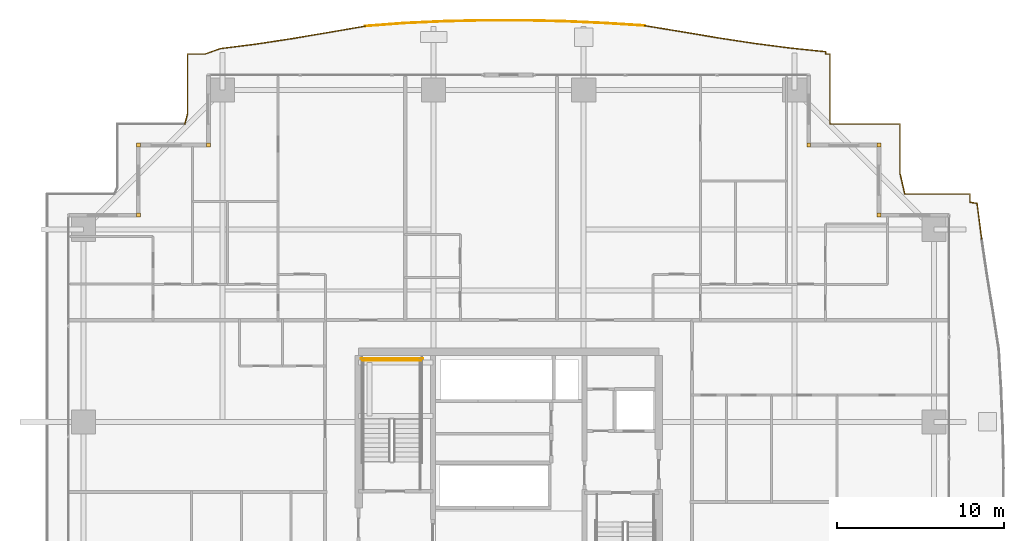
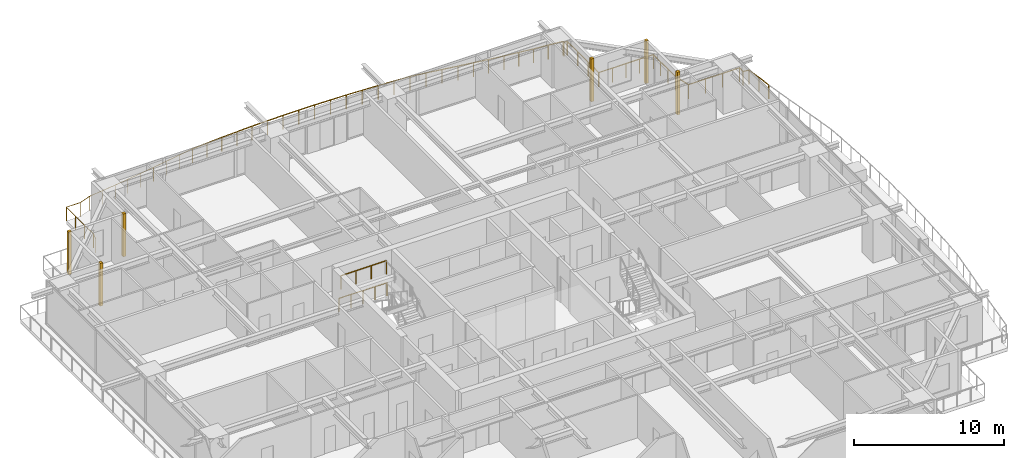
# One storey, part 38 of 38: 6 coverings, 6 railings.
"""IFC4 building model written with IfcOpenShell, lengths in metres."""

from ifc_helpers import new_model, si_unit, direction, frame, origin, origin_2d, place, context, subcontext, project, spatial, rectangle, circle, extrude, source, transform, mapped, material, layer, layer_set, type_object, element, save


model = new_model("IFC4")

# Units and contexts
model_context = context("Model", 3, precision=1e-05, world=origin(), true_north=direction((0.0, 1.0)))
body_context = subcontext(model_context, "Body", "Model", "MODEL_VIEW")
ifc_project = project(units=[si_unit("LENGTHUNIT", "METRE"), si_unit("AREAUNIT", "SQUARE_METRE"), si_unit("VOLUMEUNIT", "CUBIC_METRE"), si_unit("PLANEANGLEUNIT", "RADIAN"), si_unit("MASSUNIT", "GRAM", prefix="KILO")], contexts=[model_context])

# Site, building, storey
site_placement = place(None, origin())
site = spatial("IfcSite", under=ifc_project, at=site_placement, CompositionType="ELEMENT")
building_placement = place(site_placement, origin())
building = spatial("IfcBuilding", under=site, at=building_placement, Name="Serunith Strait Residences", CompositionType="ELEMENT")
storey_placement = place(building_placement, frame((0.0, 0.0, 37.949951171875)))
storey = spatial("IfcBuildingStorey", under=building, at=storey_placement, Name="L08", CompositionType="ELEMENT", Elevation=37.949951171875)

# Railings
ifc_material_1 = material(Name="Stainless Steel & Laminated Glass Balustrade", Category="steel")
railing_type_1 = type_object("IfcRailingType", Name="RLG-BALC-1150", PredefinedType="BALUSTRADE", material=ifc_material_1)
railing_1_placement = place(storey_placement, frame((12.981689453125, 47.260009765625, -0.050048828125)))
element("IfcRailing", 1, at=railing_1_placement, inside=storey, type_object=railing_type_1, Name="L08 Swirling Balcony Perimeter Balustrade 1", PredefinedType="BALUSTRADE", context=body_context, shape_type="SweptSolid", body=[
    extrude(circle(Radius=0.02392578125, at=origin_2d()), frame((0.00048828125, 0.001953125, 1.1259765625), z_axis=(0.255697331231, 0.966756885055, 0.0), x_axis=(-0.966756885055, 0.255697331231, 0.0)), (0.0, 0.0, 1.0), 0.61474609375),
    extrude(circle(Radius=0.02392578125, at=origin_2d()), frame((0.158203125, 0.60009765625, 1.1259765625), z_axis=(0.0, 1.0, 0.0), x_axis=(-1.0, 0.0, 0.0)), (0.0, 0.0, 1.0), 3.597900390625),
    extrude(circle(Radius=0.02392578125, at=origin_2d()), frame((0.16015625, 4.199951171875, 1.1259765625), z_axis=(1.0, 0.0, 0.0), x_axis=(0.0, 1.0, 0.0)), (0.0, 0.0, 1.0), 1.064208984375),
    extrude(circle(Radius=0.02392578125, at=origin_2d()), frame((1.228271484375, 4.20068359375, 1.1259765625), z_axis=(0.941177945804, 0.337911340934, 0.0), x_axis=(-0.337911340934, 0.941177945804, 0.0)), (0.0, 0.0, 1.0), 0.9482421875),
    extrude(circle(Radius=0.02392578125, at=origin_2d()), frame((2.12451171875, 4.52197265625, 1.1259765625), z_axis=(0.992050001102, 0.125844329681, 0.0), x_axis=(-0.125844329681, 0.992050001102, 0.0)), (0.0, 0.0, 1.0), 2.1376953125),
    extrude(circle(Radius=0.02392578125, at=origin_2d()), frame((4.249267578125, 4.79150390625, 1.1259765625), z_axis=(0.988785607502, 0.14934196462, 0.0), x_axis=(-0.14934196462, 0.988785607502, 0.0)), (0.0, 0.0, 1.0), 2.165283203125),
    extrude(circle(Radius=0.02392578125, at=origin_2d()), frame((6.394287109375, 5.115478515625, 1.1259765625), z_axis=(0.986055038385, 0.166419533936, 0.0), x_axis=(-0.166419533936, 0.986055038385, 0.0)), (0.0, 0.0, 1.0), 2.209716796875),
    extrude(circle(Radius=0.02392578125, at=origin_2d()), frame((8.5771484375, 5.48388671875, 1.1259765625), z_axis=(0.9854104764, 0.170194573945, 0.0), x_axis=(-0.170194573945, 0.9854104764, 0.0)), (0.0, 0.0, 1.0), 2.26953125),
    extrude(circle(Radius=0.02099609375, at=origin_2d()), origin(), (0.0, 0.0, 1.0), 1.099853515625),
    extrude(circle(Radius=0.02099609375, at=origin_2d()), frame((0.158203125, 0.59814453125, 0.0)), (0.0, 0.0, 1.0), 1.099853515625),
    extrude(circle(Radius=0.02099609375, at=origin_2d()), frame((0.158203125, 1.798828125, 0.0)), (0.0, 0.0, 1.0), 1.099853515625),
    extrude(circle(Radius=0.02099609375, at=origin_2d()), frame((0.158203125, 2.999267578125, 0.0)), (0.0, 0.0, 1.0), 1.099853515625),
    extrude(circle(Radius=0.02099609375, at=origin_2d()), frame((0.158203125, 4.199951171875, 0.0)), (0.0, 0.0, 1.0), 1.099853515625),
    extrude(circle(Radius=0.02099609375, at=origin_2d()), frame((1.226318359375, 4.199951171875, 0.0)), (0.0, 0.0, 1.0), 1.099853515625),
    extrude(circle(Radius=0.02099609375, at=origin_2d()), frame((2.12255859375, 4.521728515625, 0.0)), (0.0, 0.0, 1.0), 1.099853515625),
    extrude(circle(Radius=0.02099609375, at=origin_2d()), frame((3.18505859375, 4.656494140625, 0.0)), (0.0, 0.0, 1.0), 1.099853515625),
    extrude(circle(Radius=0.02099609375, at=origin_2d()), frame((4.247314453125, 4.791259765625, 0.0)), (0.0, 0.0, 1.0), 1.099853515625),
    extrude(circle(Radius=0.02099609375, at=origin_2d()), frame((5.31982421875, 4.953125, 0.0)), (0.0, 0.0, 1.0), 1.099853515625),
    extrude(circle(Radius=0.02099609375, at=origin_2d()), frame((6.392333984375, 5.115234375, 0.0)), (0.0, 0.0, 1.0), 1.099853515625),
    extrude(circle(Radius=0.02099609375, at=origin_2d()), frame((7.48388671875, 5.29931640625, 0.0)), (0.0, 0.0, 1.0), 1.099853515625),
    extrude(circle(Radius=0.02099609375, at=origin_2d()), frame((8.5751953125, 5.483642578125, 0.0)), (0.0, 0.0, 1.0), 1.099853515625),
    extrude(circle(Radius=0.02099609375, at=origin_2d()), frame((9.6953125, 5.67724609375, 0.0)), (0.0, 0.0, 1.0), 1.099853515625),
    extrude(circle(Radius=0.02099609375, at=origin_2d()), frame((10.815673828125, 5.87060546875, 0.0)), (0.0, 0.0, 1.0), 1.099853515625),
])
railing_2_placement = place(storey_placement, frame((23.79736328125, 53.130615234375, -0.050048828125)))
element("IfcRailing", 2, at=railing_2_placement, inside=storey, type_object=railing_type_1, Name="L08 Swirling Balcony Perimeter Balustrade 2", PredefinedType="BALUSTRADE", context=body_context, shape_type="SweptSolid", body=[
    extrude(circle(Radius=0.02392578125, at=origin_2d()), frame((0.001953125, 0.000244140625, 1.1259765625), z_axis=(0.997183859112, 0.074995674051, 0.0), x_axis=(-0.074995674051, 0.997183859112, 0.0)), (0.0, 0.0, 1.0), 2.356201171875),
    extrude(circle(Radius=0.02392578125, at=origin_2d()), frame((2.35546875, 0.177001953125, 1.1259765625), z_axis=(0.998961593493, 0.045560231843, 0.0), x_axis=(-0.045560231843, 0.998961593493, 0.0)), (0.0, 0.0, 1.0), 2.391357421875),
    extrude(circle(Radius=0.02392578125, at=origin_2d()), frame((4.748291015625, 0.2861328125, 1.1259765625), z_axis=(0.999724918115, 0.023453957023, 0.0), x_axis=(-0.023453957023, 0.999724918115, 0.0)), (0.0, 0.0, 1.0), 2.410888671875),
    extrude(circle(Radius=0.02392578125, at=origin_2d()), frame((7.16259765625, 0.3427734375, 1.1259765625), z_axis=(0.99999997968, -0.000201592577, 0.0), x_axis=(0.000201592577, 0.99999997968, 0.0)), (0.0, 0.0, 1.0), 2.418212890625),
    extrude(circle(Radius=0.02392578125, at=origin_2d()), frame((9.584716796875, 0.34228515625, 1.1259765625), z_axis=(0.999720383035, -0.023646474237, 0.0), x_axis=(0.023646474237, 0.999720383035, 0.0)), (0.0, 0.0, 1.0), 2.411865234375),
    extrude(circle(Radius=0.02392578125, at=origin_2d()), frame((12.0, 0.28515625, 1.1259765625), z_axis=(0.998986311955, -0.045014981128, 0.0), x_axis=(0.045014981128, 0.998986311955, 0.0)), (0.0, 0.0, 1.0), 2.393310546875),
    extrude(circle(Radius=0.02392578125, at=origin_2d()), frame((14.394775390625, 0.177001953125, 1.1259765625), z_axis=(0.998022390051, -0.062859438093, 0.0), x_axis=(0.062859438093, 0.998022390051, 0.0)), (0.0, 0.0, 1.0), 2.365234375),
    extrude(circle(Radius=0.02099609375, at=origin_2d()), origin(), (0.0, 0.0, 1.0), 1.099853515625),
    extrude(circle(Radius=0.02099609375, at=origin_2d()), frame((1.1767578125, 0.08837890625, 0.0)), (0.0, 0.0, 1.0), 1.099853515625),
    extrude(circle(Radius=0.02099609375, at=origin_2d()), frame((2.353515625, 0.177001953125, 0.0)), (0.0, 0.0, 1.0), 1.099853515625),
    extrude(circle(Radius=0.02099609375, at=origin_2d()), frame((3.5498046875, 0.2314453125, 0.0)), (0.0, 0.0, 1.0), 1.099853515625),
    extrude(circle(Radius=0.02099609375, at=origin_2d()), frame((4.746337890625, 0.2861328125, 0.0)), (0.0, 0.0, 1.0), 1.099853515625),
    extrude(circle(Radius=0.02099609375, at=origin_2d()), frame((5.95361328125, 0.314453125, 0.0)), (0.0, 0.0, 1.0), 1.099853515625),
    extrude(circle(Radius=0.02099609375, at=origin_2d()), frame((7.16064453125, 0.3427734375, 0.0)), (0.0, 0.0, 1.0), 1.099853515625),
    extrude(circle(Radius=0.02099609375, at=origin_2d()), frame((8.37158203125, 0.342529296875, 0.0)), (0.0, 0.0, 1.0), 1.099853515625),
    extrude(circle(Radius=0.02099609375, at=origin_2d()), frame((9.582763671875, 0.34228515625, 0.0)), (0.0, 0.0, 1.0), 1.099853515625),
    extrude(circle(Radius=0.02099609375, at=origin_2d()), frame((10.79052734375, 0.313720703125, 0.0)), (0.0, 0.0, 1.0), 1.099853515625),
    extrude(circle(Radius=0.02099609375, at=origin_2d()), frame((11.998046875, 0.28515625, 0.0)), (0.0, 0.0, 1.0), 1.099853515625),
    extrude(circle(Radius=0.02099609375, at=origin_2d()), frame((13.1953125, 0.231201171875, 0.0)), (0.0, 0.0, 1.0), 1.099853515625),
    extrude(circle(Radius=0.02099609375, at=origin_2d()), frame((14.392822265625, 0.17724609375, 0.0)), (0.0, 0.0, 1.0), 1.099853515625),
    extrude(circle(Radius=0.02099609375, at=origin_2d()), frame((15.5751953125, 0.102783203125, 0.0)), (0.0, 0.0, 1.0), 1.099853515625),
    extrude(circle(Radius=0.02099609375, at=origin_2d()), frame((16.75732421875, 0.0283203125, 0.0)), (0.0, 0.0, 1.0), 1.099853515625),
])
railing_3_placement = place(storey_placement, frame((40.5546875, 53.158935546875, -0.050048828125)))
element("IfcRailing", 3, at=railing_3_placement, inside=storey, type_object=railing_type_1, Name="L08 Swirling Balcony Perimeter Balustrade 3", PredefinedType="BALUSTRADE", context=body_context, shape_type="SweptSolid", body=[
    extrude(circle(Radius=0.02392578125, at=origin_2d()), frame((0.001953125, -0.000244140625, 1.1259765625), z_axis=(0.98696509337, -0.160934472593, 0.0), x_axis=(0.160934472593, 0.98696509337, 0.0)), (0.0, 0.0, 1.0), 2.2822265625),
    extrude(circle(Radius=0.02392578125, at=origin_2d()), frame((2.25830078125, -0.3681640625, 1.1259765625), z_axis=(0.986065526282, -0.166357379991, 0.0), x_axis=(0.166357379991, 0.986065526282, 0.0)), (0.0, 0.0, 1.0), 2.219482421875),
    extrude(circle(Radius=0.02392578125, at=origin_2d()), frame((4.45068359375, -0.738037109375, 1.1259765625), z_axis=(0.988573099082, -0.150742256089, 0.0), x_axis=(0.150742256089, 0.988573099082, 0.0)), (0.0, 0.0, 1.0), 2.172607421875),
    extrude(circle(Radius=0.02392578125, at=origin_2d()), frame((6.6025390625, -1.066162109375, 1.1259765625), z_axis=(0.991738711412, -0.128274425693, 0.0), x_axis=(0.128274425693, 0.991738711412, 0.0)), (0.0, 0.0, 1.0), 2.142822265625),
    extrude(circle(Radius=0.02392578125, at=origin_2d()), frame((8.731689453125, -1.341552734375, 1.1259765625), z_axis=(0.994593554855, -0.103844405923, 0.0), x_axis=(0.103844405923, 0.994593554855, 0.0)), (0.0, 0.0, 1.0), 2.12841796875),
    extrude(circle(Radius=0.02392578125, at=origin_2d()), frame((10.8505859375, -1.564697265625, 1.1259765625), z_axis=(-0.007168274606, -0.99997430759, 0.0), x_axis=(0.99997430759, -0.007168274606, 0.0)), (0.0, 0.0, 1.0), 0.13232421875),
    extrude(circle(Radius=0.02392578125, at=origin_2d()), frame((10.8515625, -1.698974609375, 1.1259765625), z_axis=(1.0, 0.0, 0.0), x_axis=(0.0, 1.0, 0.0)), (0.0, 0.0, 1.0), 0.251708984375),
    extrude(circle(Radius=0.02392578125, at=origin_2d()), frame((11.105224609375, -1.700927734375, 1.1259765625), z_axis=(0.0, -1.0, 0.0), x_axis=(1.0, 0.0, 0.0)), (0.0, 0.0, 1.0), 4.196044921875),
    extrude(circle(Radius=0.02099609375, at=origin_2d()), origin(), (0.0, 0.0, 1.0), 1.099853515625),
    extrude(circle(Radius=0.02099609375, at=origin_2d()), frame((1.128173828125, -0.18408203125, 0.0)), (0.0, 0.0, 1.0), 1.099853515625),
    extrude(circle(Radius=0.02099609375, at=origin_2d()), frame((2.25634765625, -0.367919921875, 0.0)), (0.0, 0.0, 1.0), 1.099853515625),
    extrude(circle(Radius=0.02099609375, at=origin_2d()), frame((3.3525390625, -0.552734375, 0.0)), (0.0, 0.0, 1.0), 1.099853515625),
    extrude(circle(Radius=0.02099609375, at=origin_2d()), frame((4.44873046875, -0.73779296875, 0.0)), (0.0, 0.0, 1.0), 1.099853515625),
    extrude(circle(Radius=0.02099609375, at=origin_2d()), frame((5.524658203125, -0.90185546875, 0.0)), (0.0, 0.0, 1.0), 1.099853515625),
    extrude(circle(Radius=0.02099609375, at=origin_2d()), frame((6.6005859375, -1.06591796875, 0.0)), (0.0, 0.0, 1.0), 1.099853515625),
    extrude(circle(Radius=0.02099609375, at=origin_2d()), frame((7.6650390625, -1.20361328125, 0.0)), (0.0, 0.0, 1.0), 1.099853515625),
    extrude(circle(Radius=0.02099609375, at=origin_2d()), frame((8.729736328125, -1.34130859375, 0.0)), (0.0, 0.0, 1.0), 1.099853515625),
    extrude(circle(Radius=0.02099609375, at=origin_2d()), frame((9.7900390625, -1.4521484375, 0.0)), (0.0, 0.0, 1.0), 1.099853515625),
    extrude(circle(Radius=0.02099609375, at=origin_2d()), frame((10.8505859375, -1.562744140625, 0.0)), (0.0, 0.0, 1.0), 1.099853515625),
    extrude(circle(Radius=0.02099609375, at=origin_2d()), frame((10.849609375, -1.698974609375, 0.0)), (0.0, 0.0, 1.0), 1.099853515625),
    extrude(circle(Radius=0.02099609375, at=origin_2d()), frame((11.105224609375, -1.698974609375, 0.0)), (0.0, 0.0, 1.0), 1.099853515625),
    extrude(circle(Radius=0.02099609375, at=origin_2d()), frame((11.105224609375, -3.098876953125, 0.0)), (0.0, 0.0, 1.0), 1.099853515625),
    extrude(circle(Radius=0.02099609375, at=origin_2d()), frame((11.105224609375, -4.4990234375, 0.0)), (0.0, 0.0, 1.0), 1.099853515625),
    extrude(circle(Radius=0.02099609375, at=origin_2d()), frame((11.105224609375, -5.89892578125, 0.0)), (0.0, 0.0, 1.0), 1.099853515625),
])
railing_4_placement = place(storey_placement, frame((51.659912109375, 47.260009765625, -0.050048828125)))
element("IfcRailing", 4, at=railing_4_placement, inside=storey, type_object=railing_type_1, Name="L08 Swirling Balcony Perimeter Balustrade 4", PredefinedType="BALUSTRADE", context=body_context, shape_type="SweptSolid", body=[
    extrude(circle(Radius=0.02392578125, at=origin_2d()), frame((0.001953125, 0.0, 1.1259765625), z_axis=(1.0, 0.0, 0.0), x_axis=(0.0, 1.0, 0.0)), (0.0, 0.0, 1.0), 4.1962890625),
    extrude(circle(Radius=0.02392578125, at=origin_2d()), frame((4.2001953125, -0.001953125, 1.1259765625), z_axis=(0.0, -1.0, 0.0), x_axis=(1.0, 0.0, 0.0)), (0.0, 0.0, 1.0), 2.93603515625),
    extrude(circle(Radius=0.02392578125, at=origin_2d()), frame((4.20068359375, -2.94189453125, 1.1259765625), z_axis=(0.224500955255, -0.974473868859, 0.0), x_axis=(0.974473868859, 0.224500955255, 0.0)), (0.0, 0.0, 1.0), 1.2890625),
    extrude(circle(Radius=0.02392578125, at=origin_2d()), frame((4.492431640625, -4.199951171875, 1.1259765625), z_axis=(1.0, 0.0, 0.0), x_axis=(0.0, 1.0, 0.0)), (0.0, 0.0, 1.0), 3.90576171875),
    extrude(circle(Radius=0.02392578125, at=origin_2d()), frame((8.400146484375, -4.201904296875, 1.1259765625), z_axis=(0.0, -1.0, 0.0), x_axis=(1.0, 0.0, 0.0)), (0.0, 0.0, 1.0), 0.48388671875),
    extrude(circle(Radius=0.02392578125, at=origin_2d()), frame((8.402099609375, -4.68798828125, 1.1259765625), z_axis=(0.987212233971, -0.159411433398, 0.0), x_axis=(0.159411433398, 0.987212233971, 0.0)), (0.0, 0.0, 1.0), 0.4248046875),
    extrude(circle(Radius=0.02392578125, at=origin_2d()), frame((8.82373046875, -4.758056640625, 1.1259765625), z_axis=(0.128047043565, -0.991768095189, 0.0), x_axis=(0.991768095189, 0.128047043565, 0.0)), (0.0, 0.0, 1.0), 2.144775390625),
    extrude(circle(Radius=0.02099609375, at=origin_2d()), origin(), (0.0, 0.0, 1.0), 1.099853515625),
    extrude(circle(Radius=0.02099609375, at=origin_2d()), frame((1.050048828125, 0.0, 0.0)), (0.0, 0.0, 1.0), 1.099853515625),
    extrude(circle(Radius=0.02099609375, at=origin_2d()), frame((2.10009765625, 0.0, 0.0)), (0.0, 0.0, 1.0), 1.099853515625),
    extrude(circle(Radius=0.02099609375, at=origin_2d()), frame((3.150146484375, 0.0, 0.0)), (0.0, 0.0, 1.0), 1.099853515625),
    extrude(circle(Radius=0.02099609375, at=origin_2d()), frame((4.2001953125, 0.0, 0.0)), (0.0, 0.0, 1.0), 1.099853515625),
    extrude(circle(Radius=0.02099609375, at=origin_2d()), frame((4.2001953125, -0.97998046875, 0.0)), (0.0, 0.0, 1.0), 1.099853515625),
    extrude(circle(Radius=0.02099609375, at=origin_2d()), frame((4.2001953125, -1.9599609375, 0.0)), (0.0, 0.0, 1.0), 1.099853515625),
    extrude(circle(Radius=0.02099609375, at=origin_2d()), frame((4.2001953125, -2.93994140625, 0.0)), (0.0, 0.0, 1.0), 1.099853515625),
    extrude(circle(Radius=0.02099609375, at=origin_2d()), frame((4.490478515625, -4.199951171875, 0.0)), (0.0, 0.0, 1.0), 1.099853515625),
    extrude(circle(Radius=0.02099609375, at=origin_2d()), frame((5.793701171875, -4.199951171875, 0.0)), (0.0, 0.0, 1.0), 1.099853515625),
    extrude(circle(Radius=0.02099609375, at=origin_2d()), frame((7.096923828125, -4.199951171875, 0.0)), (0.0, 0.0, 1.0), 1.099853515625),
    extrude(circle(Radius=0.02099609375, at=origin_2d()), frame((8.400146484375, -4.199951171875, 0.0)), (0.0, 0.0, 1.0), 1.099853515625),
    extrude(circle(Radius=0.02099609375, at=origin_2d()), frame((8.400146484375, -4.687744140625, 0.0)), (0.0, 0.0, 1.0), 1.099853515625),
    extrude(circle(Radius=0.02099609375, at=origin_2d()), frame((8.823486328125, -4.756103515625, 0.0)), (0.0, 0.0, 1.0), 1.099853515625),
    extrude(circle(Radius=0.02099609375, at=origin_2d()), frame((8.9609375, -5.82177734375, 0.0)), (0.0, 0.0, 1.0), 1.099853515625),
    extrude(circle(Radius=0.02099609375, at=origin_2d()), frame((9.0986328125, -6.88720703125, 0.0)), (0.0, 0.0, 1.0), 1.099853515625),
])
ifc_material_2 = material(Name="Brushed stainless steel 316L", Category="steel")
railing_type_2 = type_object("IfcRailingType", Name="RLG-STAIR-GUARD", PredefinedType="BALUSTRADE", material=ifc_material_2)
railing_5_placement = place(storey_placement, frame((27.14990234375, 33.10009765625, 1.875)))
element("IfcRailing", 5, at=railing_5_placement, inside=storey, type_object=railing_type_2, Name="L08 ST-1 stair guard 5", PredefinedType="BALUSTRADE", context=body_context, shape_type="SweptSolid", body=[
    extrude(circle(Radius=0.02392578125, at=origin_2d()), frame((-0.001953125, 0.0, 1.076171875), z_axis=(-1.0, 0.0, 0.0), x_axis=(0.0, -1.0, 0.0)), (0.0, 0.0, 1.0), 3.49609375),
    extrude(circle(Radius=0.02099609375, at=origin_2d()), origin(), (0.0, 0.0, 1.0), 1.050048828125),
    extrude(circle(Radius=0.02099609375, at=origin_2d()), frame((-1.166748046875, 0.0, 0.0)), (0.0, 0.0, 1.0), 1.050048828125),
    extrude(circle(Radius=0.02099609375, at=origin_2d()), frame((-2.333251953125, 0.0, 0.0)), (0.0, 0.0, 1.0), 1.050048828125),
    extrude(circle(Radius=0.02099609375, at=origin_2d()), frame((-3.5, 0.0, 0.0)), (0.0, 0.0, 1.0), 1.050048828125),
])
railing_6_placement = place(storey_placement, frame((27.25, 33.199951171875, 0.0)))
element("IfcRailing", 6, at=railing_6_placement, inside=storey, type_object=railing_type_2, Name="L08 ST-1 stair guard 12", PredefinedType="BALUSTRADE", context=body_context, shape_type="SweptSolid", body=[
    extrude(circle(Radius=0.02392578125, at=origin_2d()), frame((-0.001953125, 0.0, 1.076171875), z_axis=(-1.0, 0.0, 0.0), x_axis=(0.0, -1.0, 0.0)), (0.0, 0.0, 1.0), 3.696044921875),
    extrude(circle(Radius=0.02099609375, at=origin_2d()), origin(), (0.0, 0.0, 1.0), 1.050048828125),
    extrude(circle(Radius=0.02099609375, at=origin_2d()), frame((-0.925048828125, 0.0, 0.0)), (0.0, 0.0, 1.0), 1.050048828125),
    extrude(circle(Radius=0.02099609375, at=origin_2d()), frame((-1.85009765625, 0.0, 0.0)), (0.0, 0.0, 1.0), 1.050048828125),
    extrude(circle(Radius=0.02099609375, at=origin_2d()), frame((-2.77490234375, 0.0, 0.0)), (0.0, 0.0, 1.0), 1.050048828125),
    extrude(circle(Radius=0.02099609375, at=origin_2d()), frame((-3.699951171875, 0.0, 0.0)), (0.0, 0.0, 1.0), 1.050048828125),
])

# Coverings
ifc_material_3 = material(Name="Pale-Champagne Anodised Aluminium", Category="aluminium")
ifc_layer = layer(ifc_material_3, 0.219970703125, Name="Pale-Champagne Anodised Aluminium")
ifc_layer_set = layer_set([ifc_layer], Name="Pale-Champagne Anodised Aluminium")
covering_type = type_object("IfcCoveringType", Name="COV-CORN-TRIM", PredefinedType="CLADDING", material=ifc_layer_set)
shared_shape = source(origin(), body_context, "Body", "SweptSolid", [
    extrude(rectangle(XDim=0.221923828125, YDim=0.221923828125, at=origin_2d()), origin(), (0.0, 0.0, 1.0), 3.47509765625),
])
for number, where, z_axis, x_axis, name in (
    (7, (54.60009765625, 41.800048828125, 0.0), (0.0, 0.0, 1.0), (1.0, 0.0, 0.0), "L08 Girih Serrated Corner Trim Post 07"),
    (8, (54.60009765625, 46.0, 0.0), (0.0, 0.0, 1.0), (1.0, 0.0, 0.0), "L08 Girih Serrated Corner Trim Post 08"),
    (9, (50.39990234375, 46.0, 0.0), (0.0, 0.0, 1.0), (1.0, 0.0, 0.0), "L08 Girih Serrated Corner Trim Post 09"),
    (10, (14.39990234375, 46.0, 0.0), (0.0, 0.0, 1.0), (1.0, 0.0, 0.0), "L08 Girih Serrated Corner Trim Post 12"),
    (11, (10.199951171875, 46.0, 0.0), (0.0, 0.0, 1.0), (1.0, 0.0, 0.0), "L08 Girih Serrated Corner Trim Post 13"),
    (12, (10.199951171875, 41.800048828125, 0.0), (0.0, 0.0, 1.0), (1.0, 0.0, 0.0), "L08 Girih Serrated Corner Trim Post 14"),
):
    element("IfcCovering", number, at=place(storey_placement, frame(where, z_axis=z_axis, x_axis=x_axis)), inside=storey, type_object=covering_type, Name=name, PredefinedType="CLADDING", context=body_context, shape_type="MappedRepresentation", body=[
        mapped(shared_shape, transform((0.0, 0.0, 0.0), scale=1.0)),
    ])

save(model, "model.ifc")
